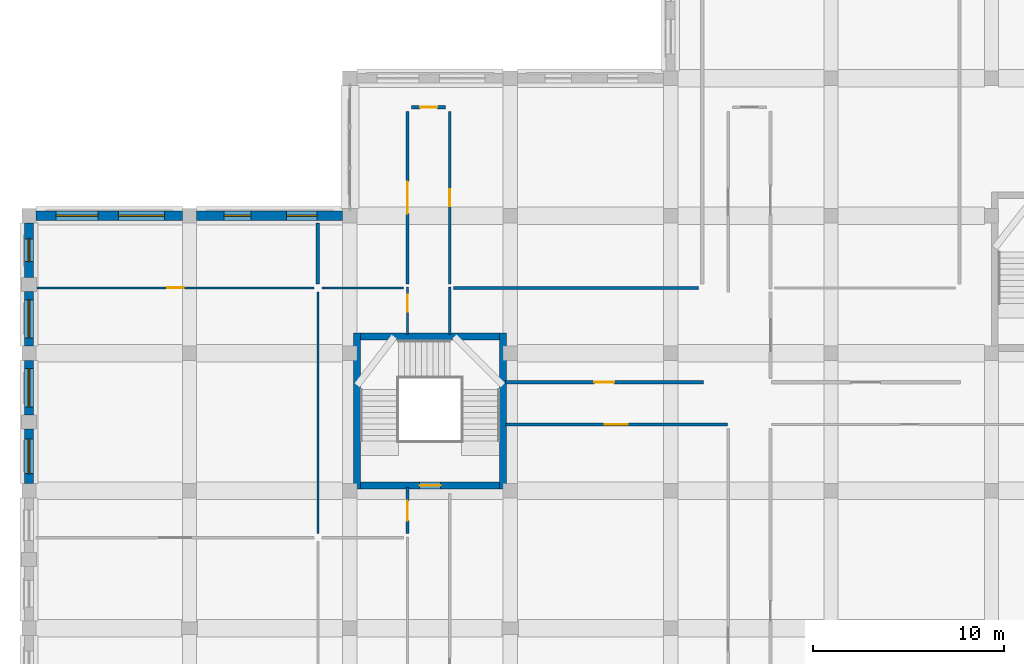
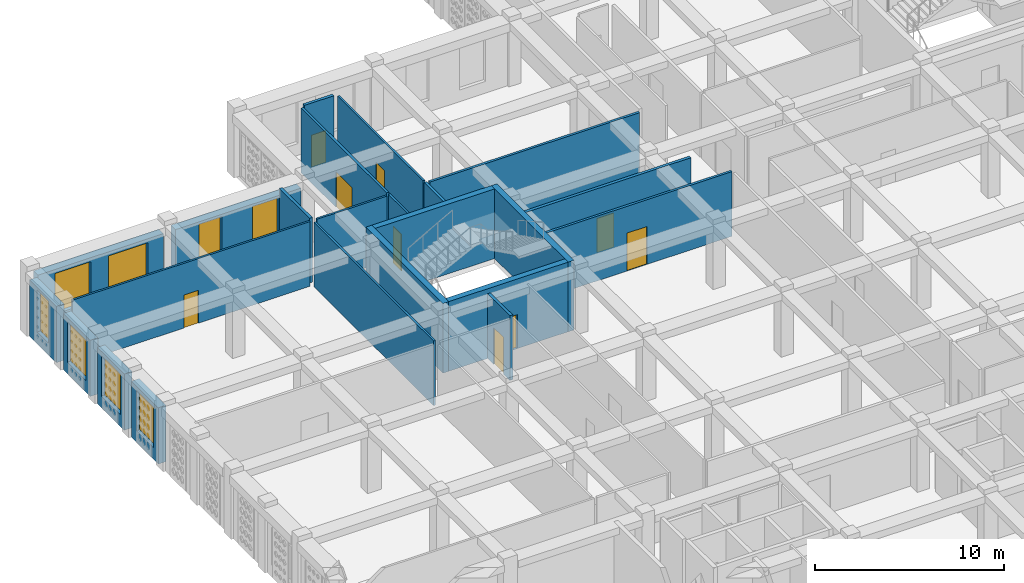
# One storey, part 65 of 111: 23 walls, 9 doors, 8 windows, 17 openings.
"""IFC4 building model written with IfcOpenShell, lengths in metres."""

from ifc_helpers import new_model, si_unit, derived_unit, direction, frame, frame_2d, origin, place, context, subcontext, project, spatial, rectangle, extrude, material, layer, layer_set, type_object, element, fill, save


model = new_model("IFC4")

# Units and contexts
model_context = context("Model", 3, precision=1e-05, world=origin(), true_north=direction((0.0, 1.0)))
body_context = subcontext(model_context, "Body", "Model", "MODEL_VIEW")
ifc_project = project(units=[si_unit("LENGTHUNIT", "METRE"), si_unit("AREAUNIT", "SQUARE_METRE"), si_unit("VOLUMEUNIT", "CUBIC_METRE"), si_unit("PLANEANGLEUNIT", "RADIAN"), si_unit("MASSUNIT", "GRAM", prefix="KILO"), derived_unit("THERMALTRANSMITTANCEUNIT", [(si_unit("POWERUNIT", "WATT"), 1), (si_unit("LENGTHUNIT", "METRE"), -2), (si_unit("THERMODYNAMICTEMPERATUREUNIT", "KELVIN"), -1)])], contexts=[model_context])

# Site, building, storey
site_placement = place(None, origin())
site = spatial("IfcSite", under=ifc_project, at=site_placement, CompositionType="ELEMENT")
building_placement = place(site_placement, origin())
building = spatial("IfcBuilding", under=site, at=building_placement, Name="Veybourne Emporium", CompositionType="ELEMENT")
storey_placement = place(building_placement, frame((0.0, 0.0, 9.89990234375)))
storey = spatial("IfcBuildingStorey", under=building, at=storey_placement, Name="L02", CompositionType="ELEMENT", Elevation=9.89990234375)

# Wall, opening, window
ifc_material_1 = material(Name="Portland Limestone Ashlar", Category="masonry")
ifc_layer_1 = layer(ifc_material_1, 0.47998046875)
ifc_layer_set_1 = layer_set([ifc_layer_1], Name="Portland Limestone Ashlar")
wall_type_1 = type_object("IfcWallType", Name="ExtWall_EW-01", PredefinedType="SOLIDWALL", material=ifc_layer_set_1)
wall_1_placement = place(storey_placement, frame((0.0, 65.175048828125, 0.0), z_axis=(0.0, 0.0, 1.0), x_axis=(0.0, 1.0, 0.0)))
wall_1 = element("IfcWall", 1, at=wall_1_placement, inside=storey, type_object=wall_type_1, Name="L02 Portland stone external wall 009A", PredefinedType="SOLIDWALL", context=body_context, shape_type="SweptSolid", body=[
    extrude(rectangle(XDim=2.85498046875, YDim=0.47998046875, at=frame_2d((1.427490234375, 0.0))), origin(), (0.0, 0.0, 1.0), 3.630126953125),
])
opening_1_placement = place(wall_1_placement, frame((0.527587890625, 0.0, 0.75)))
opening_1 = element("IfcOpeningElement", 2, at=opening_1_placement, cuts=wall_1, Name="Opening W-36", PredefinedType="OPENING", context=body_context, shape_type="SweptSolid", body=[
    extrude(rectangle(XDim=1.800048828125, YDim=2.6201171875, at=frame_2d((0.89990234375, 1.31005859375))), frame((0.0, 0.260009765625, 0.0), z_axis=(0.0, -1.0, 0.0), x_axis=(1.0, 0.0, 0.0)), (0.0, 0.0, 1.0), 0.52001953125),
])
ifc_material_2 = material(Name="Low-E Triple Glazing", Category="glass")
window_type_1 = type_object("IfcWindowType", Name="Win_W-36", PartitioningType="DOUBLE_PANEL_VERTICAL", PredefinedType="WINDOW", material=ifc_material_2)
window_1_placement = place(opening_1_placement, origin())
window_1 = element("IfcWindow", 3, at=window_1_placement, inside=storey, type_object=window_type_1, Name="L02 tripartite bronze casement window W-36 (9A)", OverallHeight=2.6201171875, OverallWidth=1.800048828125, PartitioningType="DOUBLE_PANEL_VERTICAL", PredefinedType="WINDOW", context=body_context, shape_type="SweptSolid", body=[
    extrude(rectangle(XDim=1.800048828125, YDim=2.6201171875, at=frame_2d((0.89990234375, 1.31005859375))), frame((0.0, 0.030029296875, 0.0), z_axis=(0.0, -1.0, 0.0), x_axis=(1.0, 0.0, 0.0)), (0.0, 0.0, 1.0), 0.06005859375),
])
fill(opening_1, window_1)

wall_2_placement = place(storey_placement, frame((0.0, 68.77001953125, 0.0), z_axis=(0.0, 0.0, 1.0), x_axis=(0.0, 1.0, 0.0)))
wall_2 = element("IfcWall", 4, at=wall_2_placement, inside=storey, type_object=wall_type_1, Name="L02 Portland stone external wall 009B", PredefinedType="SOLIDWALL", context=body_context, shape_type="SweptSolid", body=[
    extrude(rectangle(XDim=2.85498046875, YDim=0.47998046875, at=frame_2d((1.427490234375, 0.0))), origin(), (0.0, 0.0, 1.0), 3.630126953125),
])
opening_2_placement = place(wall_2_placement, frame((0.427490234375, 0.0, 0.75)))
opening_2 = element("IfcOpeningElement", 5, at=opening_2_placement, cuts=wall_2, Name="Opening W-37", PredefinedType="OPENING", context=body_context, shape_type="SweptSolid", body=[
    extrude(rectangle(XDim=2.0, YDim=2.6201171875, at=frame_2d((1.0, 1.31005859375))), frame((0.0, 0.260009765625, 0.0), z_axis=(0.0, -1.0, 0.0), x_axis=(1.0, 0.0, 0.0)), (0.0, 0.0, 1.0), 0.52001953125),
])
window_type_2 = type_object("IfcWindowType", Name="Win_W-37", PartitioningType="TRIPLE_PANEL_VERTICAL", PredefinedType="WINDOW", material=ifc_material_2)
window_2_placement = place(opening_2_placement, origin())
window_2 = element("IfcWindow", 6, at=window_2_placement, inside=storey, type_object=window_type_2, Name="L02 tripartite bronze casement window W-37 (9B)", OverallHeight=2.6201171875, OverallWidth=2.0, PartitioningType="TRIPLE_PANEL_VERTICAL", PredefinedType="WINDOW", context=body_context, shape_type="SweptSolid", body=[
    extrude(rectangle(XDim=2.0, YDim=2.6201171875, at=frame_2d((1.0, 1.31005859375))), frame((0.0, 0.030029296875, 0.0), z_axis=(0.0, -1.0, 0.0), x_axis=(1.0, 0.0, 0.0)), (0.0, 0.0, 1.0), 0.06005859375),
])
fill(opening_2, window_2)

# Wall, openings, windows
wall_3_placement = place(storey_placement, frame((0.375, 79.199951171875, 0.0), z_axis=(0.0, 0.0, 1.0), x_axis=(1.0, 0.0, 0.0)))
wall_3 = element("IfcWall", 7, at=wall_3_placement, inside=storey, type_object=wall_type_1, Name="L02 Portland stone external wall 010", PredefinedType="SOLIDWALL", context=body_context, shape_type="SweptSolid", body=[
    extrude(rectangle(XDim=7.64990234375, YDim=0.47998046875, at=frame_2d((3.824951171875, 0.0))), origin(), (0.0, 0.0, 1.0), 3.630126953125),
])
opening_3_placement = place(wall_3_placement, frame((1.0419921875, 0.0, 0.75)))
opening_3 = element("IfcOpeningElement", 8, at=opening_3_placement, cuts=wall_3, Name="Opening W-38", PredefinedType="OPENING", context=body_context, shape_type="SweptSolid", body=[
    extrude(rectangle(XDim=2.199951171875, YDim=2.6201171875, at=frame_2d((1.10009765625, 1.31005859375))), frame((0.0, 0.260009765625, 0.0), z_axis=(0.0, -1.0, 0.0), x_axis=(1.0, 0.0, 0.0)), (0.0, 0.0, 1.0), 0.52001953125),
])
opening_4_placement = place(wall_3_placement, frame((4.30810546875, 0.0, 0.75)))
opening_4 = element("IfcOpeningElement", 9, at=opening_4_placement, cuts=wall_3, Name="Opening W-39", PredefinedType="OPENING", context=body_context, shape_type="SweptSolid", body=[
    extrude(rectangle(XDim=2.39990234375, YDim=2.6201171875, at=frame_2d((1.199951171875, 1.31005859375))), frame((0.0, 0.260009765625, 0.0), z_axis=(0.0, -1.0, 0.0), x_axis=(1.0, 0.0, 0.0)), (0.0, 0.0, 1.0), 0.52001953125),
])
window_type_3 = type_object("IfcWindowType", Name="Win_W-38", PartitioningType="TRIPLE_PANEL_VERTICAL", PredefinedType="WINDOW", material=ifc_material_2)
window_3_placement = place(opening_3_placement, origin())
window_3 = element("IfcWindow", 10, at=window_3_placement, inside=storey, type_object=window_type_3, Name="L02 tripartite bronze casement window W-38 (10.1)", OverallHeight=2.6201171875, OverallWidth=2.199951171875, PartitioningType="TRIPLE_PANEL_VERTICAL", PredefinedType="WINDOW", context=body_context, shape_type="SweptSolid", body=[
    extrude(rectangle(XDim=2.199951171875, YDim=2.6201171875, at=frame_2d((1.10009765625, 1.31005859375))), frame((0.0, 0.030029296875, 0.0), z_axis=(0.0, -1.0, 0.0), x_axis=(1.0, 0.0, 0.0)), (0.0, 0.0, 1.0), 0.06005859375),
])
fill(opening_3, window_3)
window_type_4 = type_object("IfcWindowType", Name="Win_W-39", PartitioningType="TRIPLE_PANEL_VERTICAL", PredefinedType="WINDOW", material=ifc_material_2)
window_4_placement = place(opening_4_placement, origin())
window_4 = element("IfcWindow", 11, at=window_4_placement, inside=storey, type_object=window_type_4, Name="L02 tripartite bronze casement window W-39 (10.2)", OverallHeight=2.6201171875, OverallWidth=2.39990234375, PartitioningType="TRIPLE_PANEL_VERTICAL", PredefinedType="WINDOW", context=body_context, shape_type="SweptSolid", body=[
    extrude(rectangle(XDim=2.39990234375, YDim=2.6201171875, at=frame_2d((1.199951171875, 1.31005859375))), frame((0.0, 0.030029296875, 0.0), z_axis=(0.0, -1.0, 0.0), x_axis=(1.0, 0.0, 0.0)), (0.0, 0.0, 1.0), 0.06005859375),
])
fill(opening_4, window_4)

# Wall, opening, window
wall_4_placement = place(storey_placement, frame((0.0, 72.375, 0.0), z_axis=(0.0, 0.0, 1.0), x_axis=(0.0, 1.0, 0.0)))
wall_4 = element("IfcWall", 12, at=wall_4_placement, inside=storey, type_object=wall_type_1, Name="L02 Portland stone external wall 011A", PredefinedType="SOLIDWALL", context=body_context, shape_type="SweptSolid", body=[
    extrude(rectangle(XDim=2.85498046875, YDim=0.47998046875, at=frame_2d((1.427490234375, 0.0))), origin(), (0.0, 0.0, 1.0), 3.630126953125),
])
opening_5_placement = place(wall_4_placement, frame((0.427490234375, 0.0, 0.75)))
opening_5 = element("IfcOpeningElement", 13, at=opening_5_placement, cuts=wall_4, Name="Opening W-40", PredefinedType="OPENING", context=body_context, shape_type="SweptSolid", body=[
    extrude(rectangle(XDim=2.0, YDim=2.6201171875, at=frame_2d((1.0, 1.31005859375))), frame((0.0, 0.260009765625, 0.0), z_axis=(0.0, -1.0, 0.0), x_axis=(1.0, 0.0, 0.0)), (0.0, 0.0, 1.0), 0.52001953125),
])
window_type_5 = type_object("IfcWindowType", Name="Win_W-40", PartitioningType="TRIPLE_PANEL_VERTICAL", PredefinedType="WINDOW", material=ifc_material_2)
window_5_placement = place(opening_5_placement, origin())
window_5 = element("IfcWindow", 14, at=window_5_placement, inside=storey, type_object=window_type_5, Name="L02 tripartite bronze casement window W-40 (11A)", OverallHeight=2.6201171875, OverallWidth=2.0, PartitioningType="TRIPLE_PANEL_VERTICAL", PredefinedType="WINDOW", context=body_context, shape_type="SweptSolid", body=[
    extrude(rectangle(XDim=2.0, YDim=2.6201171875, at=frame_2d((1.0, 1.31005859375))), frame((0.0, 0.030029296875, 0.0), z_axis=(0.0, -1.0, 0.0), x_axis=(1.0, 0.0, 0.0)), (0.0, 0.0, 1.0), 0.06005859375),
])
fill(opening_5, window_5)

wall_5_placement = place(storey_placement, frame((0.0, 75.969970703125, 0.0), z_axis=(0.0, 0.0, 1.0), x_axis=(0.0, 1.0, 0.0)))
wall_5 = element("IfcWall", 15, at=wall_5_placement, inside=storey, type_object=wall_type_1, Name="L02 Portland stone external wall 011B", PredefinedType="SOLIDWALL", context=body_context, shape_type="SweptSolid", body=[
    extrude(rectangle(XDim=2.85498046875, YDim=0.47998046875, at=frame_2d((1.427490234375, 0.0))), origin(), (0.0, 0.0, 1.0), 3.630126953125),
])
opening_6_placement = place(wall_5_placement, frame((0.827392578125, 0.0, 0.75)))
opening_6 = element("IfcOpeningElement", 16, at=opening_6_placement, cuts=wall_5, Name="Opening W-41", PredefinedType="OPENING", context=body_context, shape_type="SweptSolid", body=[
    extrude(rectangle(XDim=1.199951171875, YDim=2.72998046875, at=frame_2d((0.60009765625, 1.364990234375))), frame((0.0, 0.260009765625, 0.0), z_axis=(0.0, -1.0, 0.0), x_axis=(1.0, 0.0, 0.0)), (0.0, 0.0, 1.0), 0.52001953125),
])
window_type_6 = type_object("IfcWindowType", Name="Win_W-41", PartitioningType="SINGLE_PANEL", PredefinedType="WINDOW", material=ifc_material_2)
window_6_placement = place(opening_6_placement, origin())
window_6 = element("IfcWindow", 17, at=window_6_placement, inside=storey, type_object=window_type_6, Name="L02 tripartite bronze casement window W-41 (11B)", OverallHeight=2.72998046875, OverallWidth=1.199951171875, PartitioningType="SINGLE_PANEL", PredefinedType="WINDOW", context=body_context, shape_type="SweptSolid", body=[
    extrude(rectangle(XDim=1.199951171875, YDim=2.72998046875, at=frame_2d((0.60009765625, 1.364990234375))), frame((0.0, 0.030029296875, 0.0), z_axis=(0.0, -1.0, 0.0), x_axis=(1.0, 0.0, 0.0)), (0.0, 0.0, 1.0), 0.06005859375),
])
fill(opening_6, window_6)

# Wall, openings, windows
wall_6_placement = place(storey_placement, frame((8.77490234375, 79.199951171875, 0.0), z_axis=(0.0, 0.0, 1.0), x_axis=(1.0, 0.0, 0.0)))
wall_6 = element("IfcWall", 18, at=wall_6_placement, inside=storey, type_object=wall_type_1, Name="L02 Portland stone external wall 013", PredefinedType="SOLIDWALL", context=body_context, shape_type="SweptSolid", body=[
    extrude(rectangle(XDim=7.650146484375, YDim=0.47998046875, at=frame_2d((3.8251953125, 0.0))), origin(), (0.0, 0.0, 1.0), 3.630126953125),
])
opening_7_placement = place(wall_6_placement, frame((1.44189453125, 0.0, 0.75)))
opening_7 = element("IfcOpeningElement", 19, at=opening_7_placement, cuts=wall_6, Name="Opening W-42", PredefinedType="OPENING", context=body_context, shape_type="SweptSolid", body=[
    extrude(rectangle(XDim=1.39990234375, YDim=2.72998046875, at=frame_2d((0.699951171875, 1.364990234375))), frame((0.0, 0.260009765625, 0.0), z_axis=(0.0, -1.0, 0.0), x_axis=(1.0, 0.0, 0.0)), (0.0, 0.0, 1.0), 0.52001953125),
])
opening_8_placement = place(wall_6_placement, frame((4.7080078125, 0.0, 0.75)))
opening_8 = element("IfcOpeningElement", 20, at=opening_8_placement, cuts=wall_6, Name="Opening W-43", PredefinedType="OPENING", context=body_context, shape_type="SweptSolid", body=[
    extrude(rectangle(XDim=1.60009765625, YDim=2.72998046875, at=frame_2d((0.800048828125, 1.364990234375))), frame((0.0, 0.260009765625, 0.0), z_axis=(0.0, -1.0, 0.0), x_axis=(1.0, 0.0, 0.0)), (0.0, 0.0, 1.0), 0.52001953125),
])
window_type_7 = type_object("IfcWindowType", Name="Win_W-42", PartitioningType="DOUBLE_PANEL_VERTICAL", PredefinedType="WINDOW", material=ifc_material_2)
window_7_placement = place(opening_7_placement, origin())
window_7 = element("IfcWindow", 21, at=window_7_placement, inside=storey, type_object=window_type_7, Name="L02 tripartite bronze casement window W-42 (13.1)", OverallHeight=2.72998046875, OverallWidth=1.39990234375, PartitioningType="DOUBLE_PANEL_VERTICAL", PredefinedType="WINDOW", context=body_context, shape_type="SweptSolid", body=[
    extrude(rectangle(XDim=1.39990234375, YDim=2.72998046875, at=frame_2d((0.699951171875, 1.364990234375))), frame((0.0, 0.030029296875, 0.0), z_axis=(0.0, -1.0, 0.0), x_axis=(1.0, 0.0, 0.0)), (0.0, 0.0, 1.0), 0.06005859375),
])
fill(opening_7, window_7)
window_type_8 = type_object("IfcWindowType", Name="Win_W-43", PartitioningType="DOUBLE_PANEL_VERTICAL", PredefinedType="WINDOW", material=ifc_material_2)
window_8_placement = place(opening_8_placement, origin())
window_8 = element("IfcWindow", 22, at=window_8_placement, inside=storey, type_object=window_type_8, Name="L02 tripartite bronze casement window W-43 (13.2)", OverallHeight=2.72998046875, OverallWidth=1.60009765625, PartitioningType="DOUBLE_PANEL_VERTICAL", PredefinedType="WINDOW", context=body_context, shape_type="SweptSolid", body=[
    extrude(rectangle(XDim=1.60009765625, YDim=2.72998046875, at=frame_2d((0.800048828125, 1.364990234375))), frame((0.0, 0.030029296875, 0.0), z_axis=(0.0, -1.0, 0.0), x_axis=(1.0, 0.0, 0.0)), (0.0, 0.0, 1.0), 0.06005859375),
])
fill(opening_8, window_8)

# Wall, opening, door
ifc_material_3 = material(Name="Concrete C40/50", Category="concrete")
ifc_layer_2 = layer(ifc_material_3, 0.35009765625)
ifc_layer_set_2 = layer_set([ifc_layer_2], Name="Concrete C40/50")
wall_type_2 = type_object("IfcWallType", Name="IntWall_CW-02", PredefinedType="SHEAR", material=ifc_layer_set_2)
wall_7_placement = place(storey_placement, frame((24.64990234375, 65.074951171875, 0.0), z_axis=(0.0, 0.0, 1.0), x_axis=(-1.0, 0.0, 0.0)))
wall_7 = element("IfcWall", 23, at=wall_7_placement, inside=storey, type_object=wall_type_2, Name="Core stair ST-08 south shear wall (L02)", PredefinedType="SHEAR", context=body_context, shape_type="SweptSolid", body=[
    extrude(rectangle(XDim=7.2998046875, YDim=0.35009765625, at=frame_2d((3.64990234375, 0.0))), origin(), (0.0, 0.0, 1.0), 4.5),
])
opening_9_placement = place(wall_7_placement, frame((3.10009765625, 0.0, 0.0)))
opening_9 = element("IfcOpeningElement", 24, at=opening_9_placement, cuts=wall_7, Name="Opening FD-01", PredefinedType="OPENING", context=body_context, shape_type="SweptSolid", body=[
    extrude(rectangle(XDim=1.10009765625, YDim=2.199951171875, at=frame_2d((0.550048828125, 1.10009765625))), frame((0.0, 0.195068359375, 0.0), z_axis=(0.0, -1.0, 0.0), x_axis=(1.0, 0.0, 0.0)), (0.0, 0.0, 1.0), 0.39013671875),
])
ifc_material_4 = material(Name="Patinated Architectural Bronze", Category="bronze")
door_type_1 = type_object("IfcDoorType", Name="FireDoor_FD-01", OperationType="NOTDEFINED", PredefinedType="DOOR", material=ifc_material_4)
door_1_placement = place(opening_9_placement, origin())
door_1 = element("IfcDoor", 25, at=door_1_placement, inside=storey, type_object=door_type_1, Name="Stair ST-08 fire door (L02)", OperationType="SINGLE_SWING_LEFT", OverallHeight=2.199951171875, OverallWidth=1.10009765625, PredefinedType="DOOR", context=body_context, shape_type="SweptSolid", body=[
    extrude(rectangle(XDim=1.10009765625, YDim=2.199951171875, at=frame_2d((0.550048828125, 1.10009765625))), frame((0.0, 0.02490234375, 0.0), z_axis=(0.0, -1.0, 0.0), x_axis=(1.0, 0.0, 0.0)), (0.0, 0.0, 1.0), 0.050048828125),
])
fill(opening_9, door_1)

# Walls
wall_8_placement = place(storey_placement, frame((17.35009765625, 72.875, 0.0), z_axis=(0.0, 0.0, 1.0), x_axis=(1.0, 0.0, 0.0)))
element("IfcWall", 26, at=wall_8_placement, inside=storey, type_object=wall_type_2, Name="Core stair ST-08 north shear wall (L02)", PredefinedType="SHEAR", context=body_context, shape_type="SweptSolid", body=[
    extrude(rectangle(XDim=7.2998046875, YDim=0.35009765625, at=frame_2d((3.64990234375, 0.0))), origin(), (0.0, 0.0, 1.0), 4.5),
])
for number, where, z_axis, x_axis, name in (
    (27, (17.175048828125, 73.050048828125, 0.0), (0.0, 0.0, 1.0), (0.0, -1.0, 0.0), "Core stair ST-08 west shear wall (L02)"),
    (28, (24.824951171875, 64.89990234375, 0.0), (0.0, 0.0, 1.0), (0.0, 1.0, 0.0), "Core stair ST-08 east shear wall (L02)"),
):
    element("IfcWall", number, at=place(storey_placement, frame(where, z_axis=z_axis, x_axis=x_axis)), inside=storey, type_object=wall_type_2, Name=name, PredefinedType="SHEAR", context=body_context, shape_type="SweptSolid", body=[
        extrude(rectangle(XDim=8.150146484375, YDim=0.35009765625, at=frame_2d((4.0751953125, 0.0))), origin(), (0.0, 0.0, 1.0), 4.5),
    ])

# Wall, opening, door
ifc_material_5 = material(Name="Gypsum Acoustic Board", Category="gypsum")
ifc_layer_3 = layer(ifc_material_5, 0.179931640625)
ifc_layer_set_3 = layer_set([ifc_layer_3], Name="Gypsum Acoustic Board")
wall_type_3 = type_object("IfcWallType", Name="IntWall_IW-01", PredefinedType="PARTITIONING", material=ifc_layer_set_3)
wall_9_placement = place(storey_placement, frame((24.93994140625, 70.47998046875, 0.0), z_axis=(0.0, 0.0, 1.0), x_axis=(1.0, 0.0, 0.0)))
wall_9 = element("IfcWall", 29, at=wall_9_placement, inside=storey, type_object=wall_type_3, Name="L02 interior partition IW-01 #066", PredefinedType="PARTITIONING", context=body_context, shape_type="SweptSolid", body=[
    extrude(rectangle(XDim=10.3701171875, YDim=0.179931640625, at=frame_2d((5.18505859375, 0.0))), origin(), (0.0, 0.0, 1.0), 4.18017578125),
])
opening_10_placement = place(wall_9_placement, frame((4.6650390625, 0.0, 0.0)))
opening_10 = element("IfcOpeningElement", 30, at=opening_10_placement, cuts=wall_9, Name="Opening D-14", PredefinedType="OPENING", context=body_context, shape_type="SweptSolid", body=[
    extrude(rectangle(XDim=1.0400390625, YDim=2.2099609375, at=frame_2d((0.52001953125, 1.10498046875))), frame((0.0, 0.10986328125, 0.0), z_axis=(0.0, -1.0, 0.0), x_axis=(1.0, 0.0, 0.0)), (0.0, 0.0, 1.0), 0.219970703125),
])
ifc_material_6 = material(Name="European Oak Veneer and Bronze", Category="wood")
door_type_2 = type_object("IfcDoorType", Name="IntDoor_D-14", OperationType="NOTDEFINED", PredefinedType="DOOR", material=ifc_material_6)
door_2_placement = place(opening_10_placement, origin())
door_2 = element("IfcDoor", 31, at=door_2_placement, inside=storey, type_object=door_type_2, Name="L02 interior door D-14 (PART-L02-066)", OperationType="SINGLE_SWING_LEFT", OverallHeight=2.2099609375, OverallWidth=1.0400390625, PredefinedType="DOOR", context=body_context, shape_type="SweptSolid", body=[
    extrude(rectangle(XDim=1.0400390625, YDim=2.2099609375, at=frame_2d((0.52001953125, 1.10498046875))), frame((0.0, 0.02490234375, 0.0), z_axis=(0.0, -1.0, 0.0), x_axis=(1.0, 0.0, 0.0)), (0.0, 0.0, 1.0), 0.050048828125),
])
fill(opening_10, door_2)

wall_10_placement = place(storey_placement, frame((19.820068359375, 62.550048828125, 0.0), z_axis=(0.0, 0.0, 1.0), x_axis=(0.0, 1.0, 0.0)))
wall_10 = element("IfcWall", 32, at=wall_10_placement, inside=storey, type_object=wall_type_3, Name="L02 interior partition IW-01 #114", PredefinedType="PARTITIONING", context=body_context, shape_type="SweptSolid", body=[
    extrude(rectangle(XDim=2.409912109375, YDim=0.179931640625, at=frame_2d((1.205078125, 0.0))), origin(), (0.0, 0.0, 1.0), 4.18017578125),
])
opening_11_placement = place(wall_10_placement, frame((0.68505859375, 0.0, 0.0)))
opening_11 = element("IfcOpeningElement", 33, at=opening_11_placement, cuts=wall_10, Name="Opening D-26", PredefinedType="OPENING", context=body_context, shape_type="SweptSolid", body=[
    extrude(rectangle(XDim=1.0400390625, YDim=2.3701171875, at=frame_2d((0.52001953125, 1.18505859375))), frame((0.0, 0.10986328125, 0.0), z_axis=(0.0, -1.0, 0.0), x_axis=(1.0, 0.0, 0.0)), (0.0, 0.0, 1.0), 0.219970703125),
])
door_type_3 = type_object("IfcDoorType", Name="IntDoor_D-26", OperationType="NOTDEFINED", PredefinedType="DOOR", material=ifc_material_6)
door_3_placement = place(opening_11_placement, origin())
door_3 = element("IfcDoor", 34, at=door_3_placement, inside=storey, type_object=door_type_3, Name="L02 interior door D-26 (PART-L02-114)", OperationType="SINGLE_SWING_RIGHT", OverallHeight=2.3701171875, OverallWidth=1.0400390625, PredefinedType="DOOR", context=body_context, shape_type="SweptSolid", body=[
    extrude(rectangle(XDim=1.0400390625, YDim=2.3701171875, at=frame_2d((0.52001953125, 1.18505859375))), frame((0.0, 0.02490234375, 0.0), z_axis=(0.0, -1.0, 0.0), x_axis=(1.0, 0.0, 0.0)), (0.0, 0.0, 1.0), 0.050048828125),
])
fill(opening_11, door_3)

wall_11_placement = place(storey_placement, frame((20.030029296875, 84.8798828125, 0.0), z_axis=(0.0, 0.0, 1.0), x_axis=(1.0, 0.0, 0.0)))
wall_11 = element("IfcWall", 35, at=wall_11_placement, inside=storey, type_object=wall_type_3, Name="L02 interior partition IW-01 #147", PredefinedType="PARTITIONING", context=body_context, shape_type="SweptSolid", body=[
    extrude(rectangle(XDim=1.7900390625, YDim=0.179931640625, at=frame_2d((0.89501953125, 0.0))), origin(), (0.0, 0.0, 1.0), 4.18017578125),
])
opening_12_placement = place(wall_11_placement, frame((0.455078125, 0.0, 0.0)))
opening_12 = element("IfcOpeningElement", 36, at=opening_12_placement, cuts=wall_11, Name="Opening D-01", PredefinedType="OPENING", context=body_context, shape_type="SweptSolid", body=[
    extrude(rectangle(XDim=0.8798828125, YDim=2.050048828125, at=frame_2d((0.43994140625, 1.02490234375))), frame((0.0, 0.10986328125, 0.0), z_axis=(0.0, -1.0, 0.0), x_axis=(1.0, 0.0, 0.0)), (0.0, 0.0, 1.0), 0.219970703125),
])
door_type_4 = type_object("IfcDoorType", Name="IntDoor_D-01", OperationType="NOTDEFINED", PredefinedType="DOOR", material=ifc_material_6)
door_4_placement = place(opening_12_placement, origin())
door_4 = element("IfcDoor", 37, at=door_4_placement, inside=storey, type_object=door_type_4, Name="L02 interior door D-01 (PART-L02-147)", OperationType="SINGLE_SWING_LEFT", OverallHeight=2.050048828125, OverallWidth=0.8798828125, PredefinedType="DOOR", context=body_context, shape_type="SweptSolid", body=[
    extrude(rectangle(XDim=0.8798828125, YDim=2.050048828125, at=frame_2d((0.43994140625, 1.02490234375))), frame((0.0, 0.02490234375, 0.0), z_axis=(0.0, -1.0, 0.0), x_axis=(1.0, 0.0, 0.0)), (0.0, 0.0, 1.0), 0.050048828125),
])
fill(opening_12, door_4)

# Wall
wall_12_placement = place(storey_placement, frame((15.1298828125, 75.633056640625, 0.0), z_axis=(0.0, 0.0, 1.0), x_axis=(0.0, 1.0, 0.0)))
element("IfcWall", 38, at=wall_12_placement, inside=storey, type_object=wall_type_3, Name="L02 interior partition IW-01 #198", PredefinedType="PARTITIONING", context=body_context, shape_type="SweptSolid", body=[
    extrude(rectangle(XDim=3.197021484375, YDim=0.179931640625, at=frame_2d((1.5986328125, 0.0))), origin(), (0.0, 0.0, 1.0), 4.18017578125),
])

# Wall, opening, door
ifc_layer_4 = layer(ifc_material_5, 0.14990234375)
ifc_layer_set_4 = layer_set([ifc_layer_4], Name="Gypsum Acoustic Board")
wall_type_4 = type_object("IfcWallType", Name="IntWall_IW-02", PredefinedType="PARTITIONING", material=ifc_layer_set_4)
wall_13_placement = place(storey_placement, frame((24.93994140625, 68.27001953125, 0.0), z_axis=(0.0, 0.0, 1.0), x_axis=(1.0, 0.0, 0.0)))
wall_13 = element("IfcWall", 39, at=wall_13_placement, inside=storey, type_object=wall_type_4, Name="L02 interior partition IW-02 #049", PredefinedType="PARTITIONING", context=body_context, shape_type="SweptSolid", body=[
    extrude(rectangle(XDim=11.630126953125, YDim=0.14990234375, at=frame_2d((5.81494140625, 0.0))), origin(), (0.0, 0.0, 1.0), 4.18017578125),
])
opening_13_placement = place(wall_13_placement, frame((5.215087890625, 0.0, 0.0)))
opening_13 = element("IfcOpeningElement", 40, at=opening_13_placement, cuts=wall_13, Name="Opening D-33", PredefinedType="OPENING", context=body_context, shape_type="SweptSolid", body=[
    extrude(rectangle(XDim=1.199951171875, YDim=2.449951171875, at=frame_2d((0.60009765625, 1.22509765625))), frame((0.0, 0.094970703125, 0.0), z_axis=(0.0, -1.0, 0.0), x_axis=(1.0, 0.0, 0.0)), (0.0, 0.0, 1.0), 0.18994140625),
])
door_type_5 = type_object("IfcDoorType", Name="IntDoor_D-33", OperationType="NOTDEFINED", PredefinedType="DOOR", material=ifc_material_6)
door_5_placement = place(opening_13_placement, origin())
door_5 = element("IfcDoor", 41, at=door_5_placement, inside=storey, type_object=door_type_5, Name="L02 interior door D-33 (PART-L02-049)", OperationType="SINGLE_SWING_RIGHT", OverallHeight=2.449951171875, OverallWidth=1.199951171875, PredefinedType="DOOR", context=body_context, shape_type="SweptSolid", body=[
    extrude(rectangle(XDim=1.199951171875, YDim=2.449951171875, at=frame_2d((0.60009765625, 1.22509765625))), frame((0.0, 0.02490234375, 0.0), z_axis=(0.0, -1.0, 0.0), x_axis=(1.0, 0.0, 0.0)), (0.0, 0.0, 1.0), 0.050048828125),
])
fill(opening_13, door_5)

wall_14_placement = place(storey_placement, frame((19.820068359375, 75.633056640625, 0.0), z_axis=(0.0, 0.0, 1.0), x_axis=(0.0, 1.0, 0.0)))
wall_14 = element("IfcWall", 42, at=wall_14_placement, inside=storey, type_object=wall_type_4, Name="L02 interior partition IW-02 #076", PredefinedType="PARTITIONING", context=body_context, shape_type="SweptSolid", body=[
    extrude(rectangle(XDim=9.036865234375, YDim=0.14990234375, at=frame_2d((4.5185546875, 0.0))), origin(), (0.0, 0.0, 1.0), 4.18017578125),
])
opening_14_placement = place(wall_14_placement, frame((3.678466796875, 0.0, 0.0)))
opening_14 = element("IfcOpeningElement", 43, at=opening_14_placement, cuts=wall_14, Name="Opening D-24", PredefinedType="OPENING", context=body_context, shape_type="SweptSolid", body=[
    extrude(rectangle(XDim=1.679931640625, YDim=2.2900390625, at=frame_2d((0.83984375, 1.14501953125))), frame((0.0, 0.094970703125, 0.0), z_axis=(0.0, -1.0, 0.0), x_axis=(1.0, 0.0, 0.0)), (0.0, 0.0, 1.0), 0.18994140625),
])
door_type_6 = type_object("IfcDoorType", Name="IntDoor_D-24", OperationType="DOUBLE_DOOR_SINGLE_SWING", PredefinedType="DOOR", material=ifc_material_6)
door_6_placement = place(opening_14_placement, origin())
door_6 = element("IfcDoor", 44, at=door_6_placement, inside=storey, type_object=door_type_6, Name="L02 interior door D-24 (PART-L02-076)", OperationType="DOUBLE_DOOR_SINGLE_SWING", OverallHeight=2.2900390625, OverallWidth=1.679931640625, PredefinedType="DOOR", context=body_context, shape_type="SweptSolid", body=[
    extrude(rectangle(XDim=1.679931640625, YDim=2.2900390625, at=frame_2d((0.83984375, 1.14501953125))), frame((0.0, 0.02490234375, 0.0), z_axis=(0.0, -1.0, 0.0), x_axis=(1.0, 0.0, 0.0)), (0.0, 0.0, 1.0), 0.050048828125),
])
fill(opening_14, door_6)

# Walls
wall_15_placement = place(storey_placement, frame((22.030029296875, 72.989990234375, 0.0), z_axis=(0.0, 0.0, 1.0), x_axis=(0.0, 1.0, 0.0)))
element("IfcWall", 45, at=wall_15_placement, inside=storey, type_object=wall_type_4, Name="L02 interior partition IW-02 #112", PredefinedType="PARTITIONING", context=body_context, shape_type="SweptSolid", body=[
    extrude(rectangle(XDim=2.48291015625, YDim=0.14990234375, at=frame_2d((1.241455078125, 0.0))), origin(), (0.0, 0.0, 1.0), 4.18017578125),
])
wall_16_placement = place(storey_placement, frame((22.239990234375, 75.423095703125, 0.0), z_axis=(0.0, 0.0, 1.0), x_axis=(1.0, 0.0, 0.0)))
element("IfcWall", 46, at=wall_16_placement, inside=storey, type_object=wall_type_4, Name="L02 interior partition IW-02 #175", PredefinedType="PARTITIONING", context=body_context, shape_type="SweptSolid", body=[
    extrude(rectangle(XDim=12.81005859375, YDim=0.14990234375, at=frame_2d((6.405029296875, 0.0))), origin(), (0.0, 0.0, 1.0), 4.18017578125),
])

# Wall, opening, door
ifc_layer_5 = layer(ifc_material_5, 0.1201171875)
ifc_layer_set_5 = layer_set([ifc_layer_5], Name="Gypsum Acoustic Board")
wall_type_5 = type_object("IfcWallType", Name="IntWall_IW-03", PredefinedType="PARTITIONING", material=ifc_layer_set_5)
wall_17_placement = place(storey_placement, frame((22.030029296875, 75.633056640625, 0.0), z_axis=(0.0, 0.0, 1.0), x_axis=(0.0, 1.0, 0.0)))
wall_17 = element("IfcWall", 47, at=wall_17_placement, inside=storey, type_object=wall_type_5, Name="L02 interior partition IW-03 #077", PredefinedType="PARTITIONING", context=body_context, shape_type="SweptSolid", body=[
    extrude(rectangle(XDim=9.036865234375, YDim=0.1201171875, at=frame_2d((4.5185546875, 0.0))), origin(), (0.0, 0.0, 1.0), 4.18017578125),
])
opening_15_placement = place(wall_17_placement, frame((4.07861328125, 0.0, 0.0)))
opening_15 = element("IfcOpeningElement", 48, at=opening_15_placement, cuts=wall_17, Name="Opening D-25", PredefinedType="OPENING", context=body_context, shape_type="SweptSolid", body=[
    extrude(rectangle(XDim=0.8798828125, YDim=2.3701171875, at=frame_2d((0.43994140625, 1.18505859375))), frame((0.0, 0.080078125, 0.0), z_axis=(0.0, -1.0, 0.0), x_axis=(1.0, 0.0, 0.0)), (0.0, 0.0, 1.0), 0.16015625),
])
door_type_7 = type_object("IfcDoorType", Name="IntDoor_D-25", OperationType="NOTDEFINED", PredefinedType="DOOR", material=ifc_material_6)
door_7_placement = place(opening_15_placement, origin())
door_7 = element("IfcDoor", 49, at=door_7_placement, inside=storey, type_object=door_type_7, Name="L02 interior door D-25 (PART-L02-077)", OperationType="SINGLE_SWING_LEFT", OverallHeight=2.3701171875, OverallWidth=0.8798828125, PredefinedType="DOOR", context=body_context, shape_type="SweptSolid", body=[
    extrude(rectangle(XDim=0.8798828125, YDim=2.3701171875, at=frame_2d((0.43994140625, 1.18505859375))), frame((0.0, 0.02490234375, 0.0), z_axis=(0.0, -1.0, 0.0), x_axis=(1.0, 0.0, 0.0)), (0.0, 0.0, 1.0), 0.050048828125),
])
fill(opening_15, door_7)

wall_18_placement = place(storey_placement, frame((19.820068359375, 72.989990234375, 0.0), z_axis=(0.0, 0.0, 1.0), x_axis=(0.0, 1.0, 0.0)))
wall_18 = element("IfcWall", 50, at=wall_18_placement, inside=storey, type_object=wall_type_5, Name="L02 interior partition IW-03 #113", PredefinedType="PARTITIONING", context=body_context, shape_type="SweptSolid", body=[
    extrude(rectangle(XDim=2.48291015625, YDim=0.1201171875, at=frame_2d((1.241455078125, 0.0))), origin(), (0.0, 0.0, 1.0), 4.18017578125),
])
opening_16_placement = place(wall_18_placement, frame((1.186279296875, 0.0, 0.0)))
opening_16 = element("IfcOpeningElement", 51, at=opening_16_placement, cuts=wall_18, Name="Opening D-25", PredefinedType="OPENING", context=body_context, shape_type="SweptSolid", body=[
    extrude(rectangle(XDim=0.8798828125, YDim=2.3701171875, at=frame_2d((0.43994140625, 1.18505859375))), frame((0.0, 0.080078125, 0.0), z_axis=(0.0, -1.0, 0.0), x_axis=(1.0, 0.0, 0.0)), (0.0, 0.0, 1.0), 0.16015625),
])
door_8_placement = place(opening_16_placement, origin())
door_8 = element("IfcDoor", 52, at=door_8_placement, inside=storey, type_object=door_type_7, Name="L02 interior door D-25 (PART-L02-113)", OperationType="SINGLE_SWING_LEFT", OverallHeight=2.3701171875, OverallWidth=0.8798828125, PredefinedType="DOOR", context=body_context, shape_type="SweptSolid", body=[
    extrude(rectangle(XDim=0.8798828125, YDim=2.3701171875, at=frame_2d((0.43994140625, 1.18505859375))), frame((0.0, 0.02490234375, 0.0), z_axis=(0.0, -1.0, 0.0), x_axis=(1.0, 0.0, 0.0)), (0.0, 0.0, 1.0), 0.050048828125),
])
fill(opening_16, door_8)

wall_19_placement = place(storey_placement, frame((0.409912109375, 75.423095703125, 0.0), z_axis=(0.0, 0.0, 1.0), x_axis=(1.0, 0.0, 0.0)))
wall_19 = element("IfcWall", 53, at=wall_19_placement, inside=storey, type_object=wall_type_5, Name="L02 interior partition IW-03 #170", PredefinedType="PARTITIONING", context=body_context, shape_type="SweptSolid", body=[
    extrude(rectangle(XDim=14.510009765625, YDim=0.1201171875, at=frame_2d((7.2548828125, 0.0))), origin(), (0.0, 0.0, 1.0), 4.18017578125),
])
opening_17_placement = place(wall_19_placement, frame((6.81494140625, 0.0, 0.0)))
opening_17 = element("IfcOpeningElement", 54, at=opening_17_placement, cuts=wall_19, Name="Opening D-07", PredefinedType="OPENING", context=body_context, shape_type="SweptSolid", body=[
    extrude(rectangle(XDim=0.8798828125, YDim=2.1298828125, at=frame_2d((0.43994140625, 1.06494140625))), frame((0.0, 0.080078125, 0.0), z_axis=(0.0, -1.0, 0.0), x_axis=(1.0, 0.0, 0.0)), (0.0, 0.0, 1.0), 0.16015625),
])
door_type_8 = type_object("IfcDoorType", Name="IntDoor_D-07", OperationType="NOTDEFINED", PredefinedType="DOOR", material=ifc_material_6)
door_9_placement = place(opening_17_placement, origin())
door_9 = element("IfcDoor", 55, at=door_9_placement, inside=storey, type_object=door_type_8, Name="L02 interior door D-07 (PART-L02-170)", OperationType="SINGLE_SWING_LEFT", OverallHeight=2.1298828125, OverallWidth=0.8798828125, PredefinedType="DOOR", context=body_context, shape_type="SweptSolid", body=[
    extrude(rectangle(XDim=0.8798828125, YDim=2.1298828125, at=frame_2d((0.43994140625, 1.06494140625))), frame((0.0, 0.02490234375, 0.0), z_axis=(0.0, -1.0, 0.0), x_axis=(1.0, 0.0, 0.0)), (0.0, 0.0, 1.0), 0.050048828125),
])
fill(opening_17, door_9)

# Walls
wall_20_placement = place(storey_placement, frame((15.1298828125, 62.550048828125, 0.0), z_axis=(0.0, 0.0, 1.0), x_axis=(0.0, 1.0, 0.0)))
element("IfcWall", 56, at=wall_20_placement, inside=storey, type_object=wall_type_5, Name="L02 interior partition IW-03 #176", PredefinedType="PARTITIONING", context=body_context, shape_type="SweptSolid", body=[
    extrude(rectangle(XDim=12.662841796875, YDim=0.1201171875, at=frame_2d((6.33154296875, 0.0))), origin(), (0.0, 0.0, 1.0), 4.18017578125),
])
wall_21_placement = place(storey_placement, frame((15.340087890625, 75.423095703125, 0.0), z_axis=(0.0, 0.0, 1.0), x_axis=(1.0, 0.0, 0.0)))
element("IfcWall", 57, at=wall_21_placement, inside=storey, type_object=wall_type_5, Name="L02 interior partition IW-03 #197", PredefinedType="PARTITIONING", context=body_context, shape_type="SweptSolid", body=[
    extrude(rectangle(XDim=4.27001953125, YDim=0.1201171875, at=frame_2d((2.135009765625, 0.0))), origin(), (0.0, 0.0, 1.0), 4.18017578125),
])

save(model, "model.ifc")
